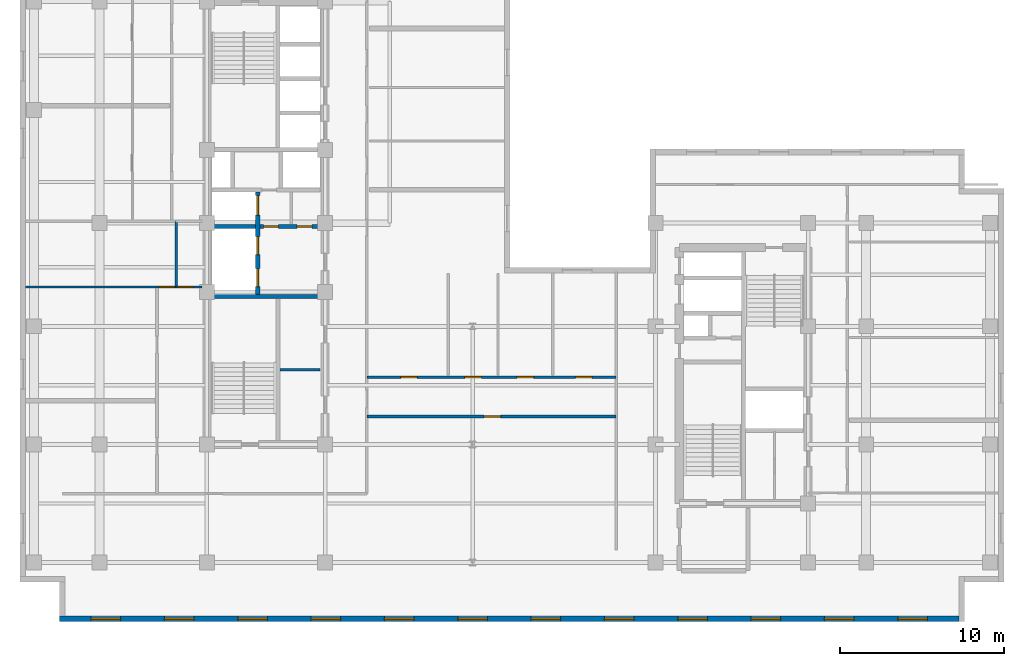
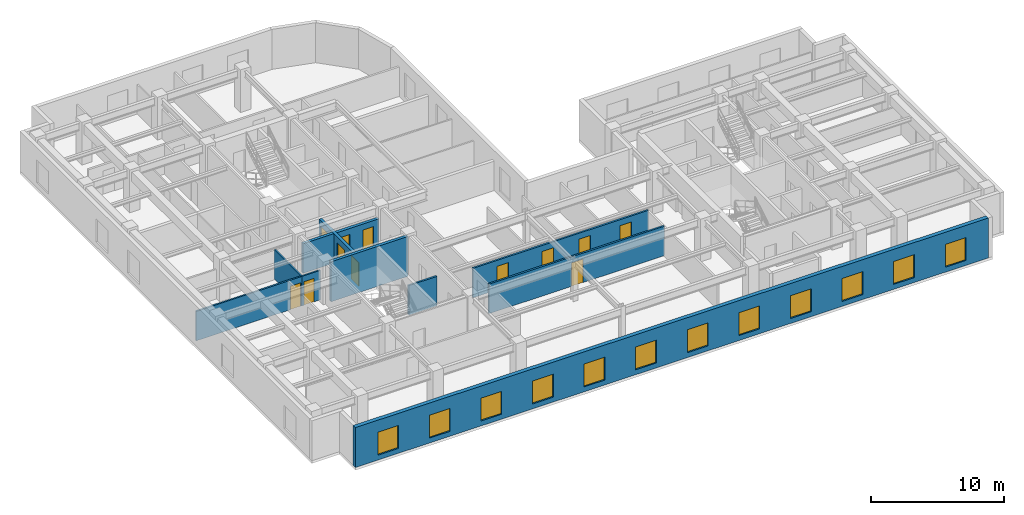
# One storey, part 4 of 11: 12 doors, 12 windows, 10 walls, 24 openings.
"""IFC4 building model written with IfcOpenShell, lengths in metres."""

from ifc_helpers import new_model, entity, si_unit, converted_unit, direction, frame, origin_with_axes, origin_2d_with_axis, place, context, subcontext, project, spatial, polyline, rectangle, outline, extrude, material, layer, layer_set, type_object, element, fill, save


model = new_model("IFC4")

# Units and contexts
model_context = context("Model", 3, precision=1e-05, world=origin_with_axes(), true_north=direction((0.0, 1.0)))
body_context = subcontext(model_context, "Body", "Model", "MODEL_VIEW")
ifc_project = project(units=[si_unit("LENGTHUNIT", "METRE"), si_unit("AREAUNIT", "SQUARE_METRE"), si_unit("VOLUMEUNIT", "CUBIC_METRE"), converted_unit("PLANEANGLEUNIT", "DEGREE", entity("IfcPlaneAngleMeasure", 0.017453292519943295), si_unit("PLANEANGLEUNIT", "RADIAN"), dimensions=[0, 0, 0, 0, 0, 0, 0]), si_unit("MASSUNIT", "GRAM", prefix="KILO"), si_unit("THERMODYNAMICTEMPERATUREUNIT", "KELVIN")], contexts=[model_context])

# Site, building, storey
site_placement = place(None, origin_with_axes())
site = spatial("IfcSite", under=ifc_project, at=site_placement, CompositionType="ELEMENT")
building_placement = place(site_placement, origin_with_axes())
building = spatial("IfcBuilding", under=site, at=building_placement, Name="Varnlund Millrace Tower", CompositionType="ELEMENT")
storey_placement = place(building_placement, frame((0.0, 0.0, 204.3), z_axis=(0.0, 0.0, 1.0), x_axis=(1.0, 0.0, 0.0)))
storey = spatial("IfcBuildingStorey", under=building, at=storey_placement, Name="L50", CompositionType="ELEMENT", Elevation=204.3)

# Wall, openings, windows
ifc_material_1 = material(Name="Precast concrete C50/60", Category="concrete")
ifc_layer_1 = layer(ifc_material_1, 0.34, Name="Precast concrete C50/60")
ifc_layer_set_1 = layer_set([ifc_layer_1], Name="Precast concrete C50/60")
wall_type_1 = type_object("IfcWallType", Name="Type-ExtWall-Precast-Upper-340", PredefinedType="SOLIDWALL", material=ifc_layer_set_1)
wall_1_placement = place(storey_placement, frame((57.26, 0.17, 0.0), z_axis=(0.0, 0.0, 1.0), x_axis=(-1.0, 0.0, 0.0)))
wall_1 = element("IfcWall", 1, at=wall_1_placement, inside=storey, type_object=wall_type_1, Name="Type-ExtWall-Precast-Upper-340", PredefinedType="SOLIDWALL", context=body_context, shape_type="SweptSolid", body=[
    extrude(outline(polyline([(0.0, -0.17), (54.86, -0.17), (54.86, 0.17), (0.0, 0.17), (0.0, -0.17)])), origin_with_axes(), (0.0, 0.0, 1.0), 3.66),
])
opening_1_placement = place(wall_1_placement, frame((2.836, 0.0, 0.45), z_axis=(0.0, 0.0, 1.0), x_axis=(1.0, 0.0, 0.0)))
opening_1 = element("IfcOpeningElement", 2, at=opening_1_placement, cuts=wall_1, Name="Opening L50:WN-07", PredefinedType="OPENING", context=body_context, shape_type="SweptSolid", body=[
    extrude(rectangle(XDim=1.8, YDim=0.36, at=origin_2d_with_axis()), origin_with_axes(), (0.0, 0.0, 1.0), 2.1),
])
opening_2_placement = place(wall_1_placement, frame((7.307, 0.0, 0.45), z_axis=(0.0, 0.0, 1.0), x_axis=(1.0, 0.0, 0.0)))
opening_2 = element("IfcOpeningElement", 3, at=opening_2_placement, cuts=wall_1, Name="Opening L50:WN-08", PredefinedType="OPENING", context=body_context, shape_type="SweptSolid", body=[
    extrude(rectangle(XDim=1.8, YDim=0.36, at=origin_2d_with_axis()), origin_with_axes(), (0.0, 0.0, 1.0), 2.1),
])
opening_3_placement = place(wall_1_placement, frame((11.779, 0.0, 0.45), z_axis=(0.0, 0.0, 1.0), x_axis=(1.0, 0.0, 0.0)))
opening_3 = element("IfcOpeningElement", 4, at=opening_3_placement, cuts=wall_1, Name="Opening L50:WN-09", PredefinedType="OPENING", context=body_context, shape_type="SweptSolid", body=[
    extrude(rectangle(XDim=1.8, YDim=0.36, at=origin_2d_with_axis()), origin_with_axes(), (0.0, 0.0, 1.0), 2.1),
])
opening_4_placement = place(wall_1_placement, frame((16.251, 0.0, 0.45), z_axis=(0.0, 0.0, 1.0), x_axis=(1.0, 0.0, 0.0)))
opening_4 = element("IfcOpeningElement", 5, at=opening_4_placement, cuts=wall_1, Name="Opening L50:WN-10", PredefinedType="OPENING", context=body_context, shape_type="SweptSolid", body=[
    extrude(rectangle(XDim=1.8, YDim=0.36, at=origin_2d_with_axis()), origin_with_axes(), (0.0, 0.0, 1.0), 2.1),
])
opening_5_placement = place(wall_1_placement, frame((20.723, 0.0, 0.45), z_axis=(0.0, 0.0, 1.0), x_axis=(1.0, 0.0, 0.0)))
opening_5 = element("IfcOpeningElement", 6, at=opening_5_placement, cuts=wall_1, Name="Opening L50:WN-11", PredefinedType="OPENING", context=body_context, shape_type="SweptSolid", body=[
    extrude(rectangle(XDim=1.8, YDim=0.36, at=origin_2d_with_axis()), origin_with_axes(), (0.0, 0.0, 1.0), 2.1),
])
opening_6_placement = place(wall_1_placement, frame((25.194, 0.0, 0.45), z_axis=(0.0, 0.0, 1.0), x_axis=(1.0, 0.0, 0.0)))
opening_6 = element("IfcOpeningElement", 7, at=opening_6_placement, cuts=wall_1, Name="Opening L50:WN-12", PredefinedType="OPENING", context=body_context, shape_type="SweptSolid", body=[
    extrude(rectangle(XDim=1.8, YDim=0.36, at=origin_2d_with_axis()), origin_with_axes(), (0.0, 0.0, 1.0), 2.1),
])
opening_7_placement = place(wall_1_placement, frame((29.666, 0.0, 0.45), z_axis=(0.0, 0.0, 1.0), x_axis=(1.0, 0.0, 0.0)))
opening_7 = element("IfcOpeningElement", 8, at=opening_7_placement, cuts=wall_1, Name="Opening L50:WN-13", PredefinedType="OPENING", context=body_context, shape_type="SweptSolid", body=[
    extrude(rectangle(XDim=1.8, YDim=0.36, at=origin_2d_with_axis()), origin_with_axes(), (0.0, 0.0, 1.0), 2.1),
])
opening_8_placement = place(wall_1_placement, frame((34.138, 0.0, 0.45), z_axis=(0.0, 0.0, 1.0), x_axis=(1.0, 0.0, 0.0)))
opening_8 = element("IfcOpeningElement", 9, at=opening_8_placement, cuts=wall_1, Name="Opening L50:WN-14", PredefinedType="OPENING", context=body_context, shape_type="SweptSolid", body=[
    extrude(rectangle(XDim=1.8, YDim=0.36, at=origin_2d_with_axis()), origin_with_axes(), (0.0, 0.0, 1.0), 2.1),
])
opening_9_placement = place(wall_1_placement, frame((38.609, 0.0, 0.45), z_axis=(0.0, 0.0, 1.0), x_axis=(1.0, 0.0, 0.0)))
opening_9 = element("IfcOpeningElement", 10, at=opening_9_placement, cuts=wall_1, Name="Opening L50:WN-15", PredefinedType="OPENING", context=body_context, shape_type="SweptSolid", body=[
    extrude(rectangle(XDim=1.8, YDim=0.36, at=origin_2d_with_axis()), origin_with_axes(), (0.0, 0.0, 1.0), 2.1),
])
opening_10_placement = place(wall_1_placement, frame((43.081, 0.0, 0.45), z_axis=(0.0, 0.0, 1.0), x_axis=(1.0, 0.0, 0.0)))
opening_10 = element("IfcOpeningElement", 11, at=opening_10_placement, cuts=wall_1, Name="Opening L50:WN-16", PredefinedType="OPENING", context=body_context, shape_type="SweptSolid", body=[
    extrude(rectangle(XDim=1.8, YDim=0.36, at=origin_2d_with_axis()), origin_with_axes(), (0.0, 0.0, 1.0), 2.1),
])
opening_11_placement = place(wall_1_placement, frame((47.553, 0.0, 0.45), z_axis=(0.0, 0.0, 1.0), x_axis=(1.0, 0.0, 0.0)))
opening_11 = element("IfcOpeningElement", 12, at=opening_11_placement, cuts=wall_1, Name="Opening L50:WN-17", PredefinedType="OPENING", context=body_context, shape_type="SweptSolid", body=[
    extrude(rectangle(XDim=1.8, YDim=0.36, at=origin_2d_with_axis()), origin_with_axes(), (0.0, 0.0, 1.0), 2.1),
])
opening_12_placement = place(wall_1_placement, frame((52.024, 0.0, 0.45), z_axis=(0.0, 0.0, 1.0), x_axis=(1.0, 0.0, 0.0)))
opening_12 = element("IfcOpeningElement", 13, at=opening_12_placement, cuts=wall_1, Name="Opening L50:WN-18", PredefinedType="OPENING", context=body_context, shape_type="SweptSolid", body=[
    extrude(rectangle(XDim=1.8, YDim=0.36, at=origin_2d_with_axis()), origin_with_axes(), (0.0, 0.0, 1.0), 2.1),
])
ifc_material_2 = material(Name="Argon low-e triple glazing in thermally broken bronze frame", Category="glass")
window_type = type_object("IfcWindowType", Name="Type-Window-Punched-1800X2100", PartitioningType="SINGLE_PANEL", PredefinedType="WINDOW", material=ifc_material_2)
window_1_placement = place(wall_1_placement, frame((2.836, 0.0, 0.45), z_axis=(0.0, 0.0, 1.0), x_axis=(1.0, 0.0, 0.0)))
window_1 = element("IfcWindow", 14, at=window_1_placement, inside=storey, type_object=window_type, Name="Type-Window-Punched-1800X2100", OverallHeight=2.1, OverallWidth=1.8, PredefinedType="WINDOW", context=body_context, shape_type="SweptSolid", body=[
    extrude(rectangle(XDim=1.8, YDim=0.09, at=origin_2d_with_axis()), origin_with_axes(), (0.0, 0.0, 1.0), 2.1),
])
fill(opening_1, window_1)
window_2_placement = place(wall_1_placement, frame((7.307, 0.0, 0.45), z_axis=(0.0, 0.0, 1.0), x_axis=(1.0, 0.0, 0.0)))
window_2 = element("IfcWindow", 15, at=window_2_placement, inside=storey, type_object=window_type, Name="Type-Window-Punched-1800X2100", OverallHeight=2.1, OverallWidth=1.8, PredefinedType="WINDOW", context=body_context, shape_type="SweptSolid", body=[
    extrude(rectangle(XDim=1.8, YDim=0.09, at=origin_2d_with_axis()), origin_with_axes(), (0.0, 0.0, 1.0), 2.1),
])
fill(opening_2, window_2)
window_3_placement = place(wall_1_placement, frame((11.779, 0.0, 0.45), z_axis=(0.0, 0.0, 1.0), x_axis=(1.0, 0.0, 0.0)))
window_3 = element("IfcWindow", 16, at=window_3_placement, inside=storey, type_object=window_type, Name="Type-Window-Punched-1800X2100", OverallHeight=2.1, OverallWidth=1.8, PredefinedType="WINDOW", context=body_context, shape_type="SweptSolid", body=[
    extrude(rectangle(XDim=1.8, YDim=0.09, at=origin_2d_with_axis()), origin_with_axes(), (0.0, 0.0, 1.0), 2.1),
])
fill(opening_3, window_3)
window_4_placement = place(wall_1_placement, frame((16.251, 0.0, 0.45), z_axis=(0.0, 0.0, 1.0), x_axis=(1.0, 0.0, 0.0)))
window_4 = element("IfcWindow", 17, at=window_4_placement, inside=storey, type_object=window_type, Name="Type-Window-Punched-1800X2100", OverallHeight=2.1, OverallWidth=1.8, PredefinedType="WINDOW", context=body_context, shape_type="SweptSolid", body=[
    extrude(rectangle(XDim=1.8, YDim=0.09, at=origin_2d_with_axis()), origin_with_axes(), (0.0, 0.0, 1.0), 2.1),
])
fill(opening_4, window_4)
window_5_placement = place(wall_1_placement, frame((20.723, 0.0, 0.45), z_axis=(0.0, 0.0, 1.0), x_axis=(1.0, 0.0, 0.0)))
window_5 = element("IfcWindow", 18, at=window_5_placement, inside=storey, type_object=window_type, Name="Type-Window-Punched-1800X2100", OverallHeight=2.1, OverallWidth=1.8, PredefinedType="WINDOW", context=body_context, shape_type="SweptSolid", body=[
    extrude(rectangle(XDim=1.8, YDim=0.09, at=origin_2d_with_axis()), origin_with_axes(), (0.0, 0.0, 1.0), 2.1),
])
fill(opening_5, window_5)
window_6_placement = place(wall_1_placement, frame((25.194, 0.0, 0.45), z_axis=(0.0, 0.0, 1.0), x_axis=(1.0, 0.0, 0.0)))
window_6 = element("IfcWindow", 19, at=window_6_placement, inside=storey, type_object=window_type, Name="Type-Window-Punched-1800X2100", OverallHeight=2.1, OverallWidth=1.8, PredefinedType="WINDOW", context=body_context, shape_type="SweptSolid", body=[
    extrude(rectangle(XDim=1.8, YDim=0.09, at=origin_2d_with_axis()), origin_with_axes(), (0.0, 0.0, 1.0), 2.1),
])
fill(opening_6, window_6)
window_7_placement = place(wall_1_placement, frame((29.666, 0.0, 0.45), z_axis=(0.0, 0.0, 1.0), x_axis=(1.0, 0.0, 0.0)))
window_7 = element("IfcWindow", 20, at=window_7_placement, inside=storey, type_object=window_type, Name="Type-Window-Punched-1800X2100", OverallHeight=2.1, OverallWidth=1.8, PredefinedType="WINDOW", context=body_context, shape_type="SweptSolid", body=[
    extrude(rectangle(XDim=1.8, YDim=0.09, at=origin_2d_with_axis()), origin_with_axes(), (0.0, 0.0, 1.0), 2.1),
])
fill(opening_7, window_7)
window_8_placement = place(wall_1_placement, frame((34.138, 0.0, 0.45), z_axis=(0.0, 0.0, 1.0), x_axis=(1.0, 0.0, 0.0)))
window_8 = element("IfcWindow", 21, at=window_8_placement, inside=storey, type_object=window_type, Name="Type-Window-Punched-1800X2100", OverallHeight=2.1, OverallWidth=1.8, PredefinedType="WINDOW", context=body_context, shape_type="SweptSolid", body=[
    extrude(rectangle(XDim=1.8, YDim=0.09, at=origin_2d_with_axis()), origin_with_axes(), (0.0, 0.0, 1.0), 2.1),
])
fill(opening_8, window_8)
window_9_placement = place(wall_1_placement, frame((38.609, 0.0, 0.45), z_axis=(0.0, 0.0, 1.0), x_axis=(1.0, 0.0, 0.0)))
window_9 = element("IfcWindow", 22, at=window_9_placement, inside=storey, type_object=window_type, Name="Type-Window-Punched-1800X2100", OverallHeight=2.1, OverallWidth=1.8, PredefinedType="WINDOW", context=body_context, shape_type="SweptSolid", body=[
    extrude(rectangle(XDim=1.8, YDim=0.09, at=origin_2d_with_axis()), origin_with_axes(), (0.0, 0.0, 1.0), 2.1),
])
fill(opening_9, window_9)
window_10_placement = place(wall_1_placement, frame((43.081, 0.0, 0.45), z_axis=(0.0, 0.0, 1.0), x_axis=(1.0, 0.0, 0.0)))
window_10 = element("IfcWindow", 23, at=window_10_placement, inside=storey, type_object=window_type, Name="Type-Window-Punched-1800X2100", OverallHeight=2.1, OverallWidth=1.8, PredefinedType="WINDOW", context=body_context, shape_type="SweptSolid", body=[
    extrude(rectangle(XDim=1.8, YDim=0.09, at=origin_2d_with_axis()), origin_with_axes(), (0.0, 0.0, 1.0), 2.1),
])
fill(opening_10, window_10)
window_11_placement = place(wall_1_placement, frame((47.553, 0.0, 0.45), z_axis=(0.0, 0.0, 1.0), x_axis=(1.0, 0.0, 0.0)))
window_11 = element("IfcWindow", 24, at=window_11_placement, inside=storey, type_object=window_type, Name="Type-Window-Punched-1800X2100", OverallHeight=2.1, OverallWidth=1.8, PredefinedType="WINDOW", context=body_context, shape_type="SweptSolid", body=[
    extrude(rectangle(XDim=1.8, YDim=0.09, at=origin_2d_with_axis()), origin_with_axes(), (0.0, 0.0, 1.0), 2.1),
])
fill(opening_11, window_11)
window_12_placement = place(wall_1_placement, frame((52.024, 0.0, 0.45), z_axis=(0.0, 0.0, 1.0), x_axis=(1.0, 0.0, 0.0)))
window_12 = element("IfcWindow", 25, at=window_12_placement, inside=storey, type_object=window_type, Name="Type-Window-Punched-1800X2100", OverallHeight=2.1, OverallWidth=1.8, PredefinedType="WINDOW", context=body_context, shape_type="SweptSolid", body=[
    extrude(rectangle(XDim=1.8, YDim=0.09, at=origin_2d_with_axis()), origin_with_axes(), (0.0, 0.0, 1.0), 2.1),
])
fill(opening_12, window_12)

# Wall
ifc_material_3 = material(Name="Fire-rated gypsum board on cold-formed steel framing", Category="steel")
ifc_layer_2 = layer(ifc_material_3, 0.16, Name="Fire-rated gypsum board on cold-formed steel framing")
ifc_layer_set_2 = layer_set([ifc_layer_2], Name="Fire-rated gypsum board on cold-formed steel framing")
wall_type_2 = type_object("IfcWallType", Name="Type-Partition-Corridor-160", PredefinedType="PARTITIONING", material=ifc_layer_set_2)
wall_2_placement = place(storey_placement, frame((15.84, 15.35, 0.0), z_axis=(0.0, 0.0, 1.0), x_axis=(1.0, 0.0, 0.0)))
element("IfcWall", 26, at=wall_2_placement, inside=storey, type_object=wall_type_2, Name="Type-Partition-Corridor-160", PredefinedType="PARTITIONING", context=body_context, shape_type="SweptSolid", body=[
    extrude(outline(polyline([(0.0, -0.08), (2.46, -0.08), (2.46, 0.08), (0.0, 0.08), (0.0, -0.08)])), origin_with_axes(), (0.0, 0.0, 1.0), 2.7),
])

# Wall, opening, door
wall_3_placement = place(storey_placement, frame((21.15, 12.5, 0.0), z_axis=(0.0, 0.0, 1.0), x_axis=(1.0, 0.0, 0.0)))
wall_3 = element("IfcWall", 27, at=wall_3_placement, inside=storey, type_object=wall_type_2, Name="Type-Partition-Corridor-160", PredefinedType="PARTITIONING", context=body_context, shape_type="SweptSolid", body=[
    extrude(outline(polyline([(0.0, -0.08), (15.2, -0.08), (15.2, 0.08), (0.0, 0.08), (0.0, -0.08)])), origin_with_axes(), (0.0, 0.0, 1.0), 2.7),
])
opening_13_placement = place(wall_3_placement, frame((7.65, 0.0, 0.0), z_axis=(0.0, 0.0, 1.0), x_axis=(1.0, 0.0, 0.0)))
opening_13 = element("IfcOpeningElement", 28, at=opening_13_placement, cuts=wall_3, Name="Opening L50:DR-KNS-01", PredefinedType="OPENING", context=body_context, shape_type="SweptSolid", body=[
    extrude(rectangle(XDim=1.0, YDim=0.18, at=origin_2d_with_axis()), origin_with_axes(), (0.0, 0.0, 1.0), 2.15),
])
ifc_material_4 = material(Name="Solid-core white oak and bronze frame door")
door_type_1 = type_object("IfcDoorType", Name="Type-IntDoor-Office-1000X2150", OperationType="NOTDEFINED", PredefinedType="DOOR", material=ifc_material_4)
door_1_placement = place(wall_3_placement, frame((7.65, 0.0, 0.0), z_axis=(0.0, 0.0, 1.0), x_axis=(1.0, 0.0, 0.0)))
door_1 = element("IfcDoor", 29, at=door_1_placement, inside=storey, type_object=door_type_1, Name="Type-IntDoor-Office-1000X2150", OperationType="SINGLE_SWING_LEFT", OverallHeight=2.15, OverallWidth=1.0, PredefinedType="DOOR", context=body_context, shape_type="SweptSolid", body=[
    extrude(rectangle(XDim=1.0, YDim=0.09, at=origin_2d_with_axis()), origin_with_axes(), (0.0, 0.0, 1.0), 2.15),
])
fill(opening_13, door_1)

# Wall, openings, doors
wall_4_placement = place(storey_placement, frame((21.15, 14.9, 0.0), z_axis=(0.0, 0.0, 1.0), x_axis=(1.0, 0.0, 0.0)))
wall_4 = element("IfcWall", 30, at=wall_4_placement, inside=storey, type_object=wall_type_2, Name="Type-Partition-Corridor-160", PredefinedType="PARTITIONING", context=body_context, shape_type="SweptSolid", body=[
    extrude(outline(polyline([(0.0, -0.08), (15.2, -0.08), (15.2, 0.08), (0.0, 0.08), (0.0, -0.08)])), origin_with_axes(), (0.0, 0.0, 1.0), 2.7),
])
opening_14_placement = place(wall_4_placement, frame((2.57, 0.0, 0.0), z_axis=(0.0, 0.0, 1.0), x_axis=(1.0, 0.0, 0.0)))
opening_14 = element("IfcOpeningElement", 31, at=opening_14_placement, cuts=wall_4, Name="Opening L50:DR-KN-01", PredefinedType="OPENING", context=body_context, shape_type="SweptSolid", body=[
    extrude(rectangle(XDim=1.0, YDim=0.18, at=origin_2d_with_axis()), origin_with_axes(), (0.0, 0.0, 1.0), 2.15),
])
opening_15_placement = place(wall_4_placement, frame((6.4755, 0.0, 0.0), z_axis=(0.0, 0.0, 1.0), x_axis=(1.0, 0.0, 0.0)))
opening_15 = element("IfcOpeningElement", 32, at=opening_15_placement, cuts=wall_4, Name="Opening L50:DR-KN-02", PredefinedType="OPENING", context=body_context, shape_type="SweptSolid", body=[
    extrude(rectangle(XDim=1.0, YDim=0.18, at=origin_2d_with_axis()), origin_with_axes(), (0.0, 0.0, 1.0), 2.15),
])
opening_16_placement = place(wall_4_placement, frame((9.667, 0.0, 0.0), z_axis=(0.0, 0.0, 1.0), x_axis=(1.0, 0.0, 0.0)))
opening_16 = element("IfcOpeningElement", 33, at=opening_16_placement, cuts=wall_4, Name="Opening L50:DR-KN-03", PredefinedType="OPENING", context=body_context, shape_type="SweptSolid", body=[
    extrude(rectangle(XDim=1.0, YDim=0.18, at=origin_2d_with_axis()), origin_with_axes(), (0.0, 0.0, 1.0), 2.15),
])
opening_17_placement = place(wall_4_placement, frame((13.2315, 0.0, 0.0), z_axis=(0.0, 0.0, 1.0), x_axis=(1.0, 0.0, 0.0)))
opening_17 = element("IfcOpeningElement", 34, at=opening_17_placement, cuts=wall_4, Name="Opening L50:DR-KN-04", PredefinedType="OPENING", context=body_context, shape_type="SweptSolid", body=[
    extrude(rectangle(XDim=1.0, YDim=0.18, at=origin_2d_with_axis()), origin_with_axes(), (0.0, 0.0, 1.0), 2.15),
])
door_2_placement = place(wall_4_placement, frame((2.57, 0.0, 0.0), z_axis=(0.0, 0.0, 1.0), x_axis=(1.0, 0.0, 0.0)))
door_2 = element("IfcDoor", 35, at=door_2_placement, inside=storey, type_object=door_type_1, Name="Type-IntDoor-Office-1000X2150", OperationType="SINGLE_SWING_LEFT", OverallHeight=2.15, OverallWidth=1.0, PredefinedType="DOOR", context=body_context, shape_type="SweptSolid", body=[
    extrude(rectangle(XDim=1.0, YDim=0.09, at=origin_2d_with_axis()), origin_with_axes(), (0.0, 0.0, 1.0), 2.15),
])
fill(opening_14, door_2)
door_3_placement = place(wall_4_placement, frame((6.4755, 0.0, 0.0), z_axis=(0.0, 0.0, 1.0), x_axis=(1.0, 0.0, 0.0)))
door_3 = element("IfcDoor", 36, at=door_3_placement, inside=storey, type_object=door_type_1, Name="Type-IntDoor-Office-1000X2150", OperationType="SINGLE_SWING_RIGHT", OverallHeight=2.15, OverallWidth=1.0, PredefinedType="DOOR", context=body_context, shape_type="SweptSolid", body=[
    extrude(rectangle(XDim=1.0, YDim=0.09, at=origin_2d_with_axis()), origin_with_axes(), (0.0, 0.0, 1.0), 2.15),
])
fill(opening_15, door_3)
door_4_placement = place(wall_4_placement, frame((9.667, 0.0, 0.0), z_axis=(0.0, 0.0, 1.0), x_axis=(1.0, 0.0, 0.0)))
door_4 = element("IfcDoor", 37, at=door_4_placement, inside=storey, type_object=door_type_1, Name="Type-IntDoor-Office-1000X2150", OperationType="SINGLE_SWING_LEFT", OverallHeight=2.15, OverallWidth=1.0, PredefinedType="DOOR", context=body_context, shape_type="SweptSolid", body=[
    extrude(rectangle(XDim=1.0, YDim=0.09, at=origin_2d_with_axis()), origin_with_axes(), (0.0, 0.0, 1.0), 2.15),
])
fill(opening_16, door_4)
door_5_placement = place(wall_4_placement, frame((13.2315, 0.0, 0.0), z_axis=(0.0, 0.0, 1.0), x_axis=(1.0, 0.0, 0.0)))
door_5 = element("IfcDoor", 38, at=door_5_placement, inside=storey, type_object=door_type_1, Name="Type-IntDoor-Office-1000X2150", OperationType="SINGLE_SWING_RIGHT", OverallHeight=2.15, OverallWidth=1.0, PredefinedType="DOOR", context=body_context, shape_type="SweptSolid", body=[
    extrude(rectangle(XDim=1.0, YDim=0.09, at=origin_2d_with_axis()), origin_with_axes(), (0.0, 0.0, 1.0), 2.15),
])
fill(opening_17, door_5)

# Wall
ifc_material_5 = material(Name="Moisture-resistant gypsum restroom partition", Category="gypsum")
ifc_layer_3 = layer(ifc_material_5, 0.14, Name="Moisture-resistant gypsum restroom partition")
ifc_layer_set_3 = layer_set([ifc_layer_3], Name="Moisture-resistant gypsum restroom partition")
wall_type_3 = type_object("IfcWallType", Name="Type-Partition-Wet-140", PredefinedType="PARTITIONING", material=ifc_layer_set_3)
wall_5_placement = place(storey_placement, frame((9.52, 20.4, 0.0), z_axis=(0.0, 0.0, 1.0), x_axis=(0.0, 1.0, 0.0)))
element("IfcWall", 39, at=wall_5_placement, inside=storey, type_object=wall_type_3, Name="Type-Partition-Wet-140", PredefinedType="PARTITIONING", context=body_context, shape_type="SweptSolid", body=[
    extrude(outline(polyline([(0.0, -0.07), (4.0, -0.07), (4.0, 0.07), (0.0, 0.07), (0.0, -0.07)])), origin_with_axes(), (0.0, 0.0, 1.0), 2.7),
])

# Wall, opening, door
wall_6_placement = place(storey_placement, frame((9.52, 20.4, 0.0), z_axis=(0.0, 0.0, 1.0), x_axis=(1.0, 0.0, 0.0)))
wall_6 = element("IfcWall", 40, at=wall_6_placement, inside=storey, type_object=wall_type_3, Name="Type-Partition-Wet-140", PredefinedType="PARTITIONING", context=body_context, shape_type="SweptSolid", body=[
    extrude(outline(polyline([(0.0, -0.07), (1.58, -0.07), (1.58, 0.07), (0.0, 0.07), (0.0, -0.07)])), origin_with_axes(), (0.0, 0.0, 1.0), 2.7),
])
opening_18_placement = place(wall_6_placement, frame((0.59, 0.0, 0.0), z_axis=(0.0, 0.0, 1.0), x_axis=(1.0, 0.0, 0.0)))
opening_18 = element("IfcOpeningElement", 41, at=opening_18_placement, cuts=wall_6, Name="Opening L50:DR-CA-WCW", PredefinedType="OPENING", context=body_context, shape_type="SweptSolid", body=[
    extrude(rectangle(XDim=0.9, YDim=0.16, at=origin_2d_with_axis()), origin_with_axes(), (0.0, 0.0, 1.0), 2.15),
])
ifc_material_6 = material(Name="Painted steel riser and closet door", Category="steel")
door_type_2 = type_object("IfcDoorType", Name="Type-IntDoor-Closet-900X2150", OperationType="NOTDEFINED", PredefinedType="DOOR", material=ifc_material_6)
door_6_placement = place(wall_6_placement, frame((0.59, 0.0, 0.0), z_axis=(0.0, 0.0, 1.0), x_axis=(1.0, 0.0, 0.0)))
door_6 = element("IfcDoor", 42, at=door_6_placement, inside=storey, type_object=door_type_2, Name="Type-IntDoor-Closet-900X2150", OperationType="SINGLE_SWING_LEFT", OverallHeight=2.15, OverallWidth=0.9, PredefinedType="DOOR", context=body_context, shape_type="SweptSolid", body=[
    extrude(rectangle(XDim=0.9, YDim=0.084, at=origin_2d_with_axis()), origin_with_axes(), (0.0, 0.0, 1.0), 2.15),
])
fill(opening_18, door_6)

wall_7_placement = place(storey_placement, frame((0.335, 20.4, 0.0), z_axis=(0.0, 0.0, 1.0), x_axis=(1.0, 0.0, 0.0)))
wall_7 = element("IfcWall", 43, at=wall_7_placement, inside=storey, type_object=wall_type_3, Name="Type-Partition-Wet-140", PredefinedType="PARTITIONING", context=body_context, shape_type="SweptSolid", body=[
    extrude(outline(polyline([(0.0, -0.07), (9.185, -0.07), (9.185, 0.07), (0.0, 0.07), (0.0, -0.07)])), origin_with_axes(), (0.0, 0.0, 1.0), 2.7),
])
opening_19_placement = place(wall_7_placement, frame((8.615, 0.0, 0.0), z_axis=(0.0, 0.0, 1.0), x_axis=(1.0, 0.0, 0.0)))
opening_19 = element("IfcOpeningElement", 44, at=opening_19_placement, cuts=wall_7, Name="Opening L50:DR-W-MIDR", PredefinedType="OPENING", context=body_context, shape_type="SweptSolid", body=[
    extrude(rectangle(XDim=0.9, YDim=0.16, at=origin_2d_with_axis()), origin_with_axes(), (0.0, 0.0, 1.0), 2.15),
])
door_7_placement = place(wall_7_placement, frame((8.615, 0.0, 0.0), z_axis=(0.0, 0.0, 1.0), x_axis=(1.0, 0.0, 0.0)))
door_7 = element("IfcDoor", 45, at=door_7_placement, inside=storey, type_object=door_type_2, Name="Type-IntDoor-Closet-900X2150", OperationType="SINGLE_SWING_LEFT", OverallHeight=2.15, OverallWidth=0.9, PredefinedType="DOOR", context=body_context, shape_type="SweptSolid", body=[
    extrude(rectangle(XDim=0.9, YDim=0.084, at=origin_2d_with_axis()), origin_with_axes(), (0.0, 0.0, 1.0), 2.15),
])
fill(opening_19, door_7)

# Wall, openings, doors
ifc_material_7 = material(Name="Concrete C60/75", Category="concrete")
ifc_layer_4 = layer(ifc_material_7, 0.25, Name="Concrete C60/75")
ifc_layer_set_4 = layer_set([ifc_layer_4], Name="Concrete C60/75")
wall_type_4 = type_object("IfcWallType", Name="Type-ShaftWall-Fire-250", PredefinedType="SOLIDWALL", material=ifc_layer_set_4)
wall_8_placement = place(storey_placement, frame((14.5, 19.95, 0.0), z_axis=(0.0, 0.0, 1.0), x_axis=(0.0, 1.0, 0.0)))
wall_8 = element("IfcWall", 46, at=wall_8_placement, inside=storey, type_object=wall_type_4, Name="Type-ShaftWall-Fire-250", PredefinedType="SOLIDWALL", context=body_context, shape_type="SweptSolid", body=[
    extrude(outline(polyline([(0.0, -0.125), (6.25, -0.125), (6.25, 0.125), (0.0, 0.125), (0.0, -0.125)])), origin_with_axes(), (0.0, 0.0, 1.0), 2.7),
])
opening_20_placement = place(wall_8_placement, frame((1.025, 0.0, 0.0), z_axis=(0.0, 0.0, 1.0), x_axis=(1.0, 0.0, 0.0)))
opening_20 = element("IfcOpeningElement", 47, at=opening_20_placement, cuts=wall_8, Name="Opening L50:LD-FSAE1", PredefinedType="OPENING", context=body_context, shape_type="SweptSolid", body=[
    extrude(rectangle(XDim=1.1, YDim=0.27, at=origin_2d_with_axis()), origin_with_axes(), (0.0, 0.0, 1.0), 2.15),
])
opening_21_placement = place(wall_8_placement, frame((2.975, 0.0, 0.0), z_axis=(0.0, 0.0, 1.0), x_axis=(1.0, 0.0, 0.0)))
opening_21 = element("IfcOpeningElement", 48, at=opening_21_placement, cuts=wall_8, Name="Opening L50:LD-FSAE2", PredefinedType="OPENING", context=body_context, shape_type="SweptSolid", body=[
    extrude(rectangle(XDim=1.1, YDim=0.27, at=origin_2d_with_axis()), origin_with_axes(), (0.0, 0.0, 1.0), 2.15),
])
opening_22_placement = place(wall_8_placement, frame((5.425, 0.0, 0.0), z_axis=(0.0, 0.0, 1.0), x_axis=(1.0, 0.0, 0.0)))
opening_22 = element("IfcOpeningElement", 49, at=opening_22_placement, cuts=wall_8, Name="Opening L50:LD-SRV1", PredefinedType="OPENING", context=body_context, shape_type="SweptSolid", body=[
    extrude(rectangle(XDim=1.2, YDim=0.27, at=origin_2d_with_axis()), origin_with_axes(), (0.0, 0.0, 1.0), 2.15),
])
ifc_material_8 = material(Name="Stainless and architectural bronze sliding landing door")
door_type_3 = type_object("IfcDoorType", Name="Type-LiftLandingDoor-1100X2150", OperationType="NOTDEFINED", PredefinedType="DOOR", material=ifc_material_8)
door_8_placement = place(wall_8_placement, frame((1.025, 0.0, 0.0), z_axis=(0.0, 0.0, 1.0), x_axis=(1.0, 0.0, 0.0)))
door_8 = element("IfcDoor", 50, at=door_8_placement, inside=storey, type_object=door_type_3, Name="Type-LiftLandingDoor-1100X2150", OperationType="SLIDING_TO_LEFT", OverallHeight=2.15, OverallWidth=1.1, PredefinedType="DOOR", context=body_context, shape_type="SweptSolid", body=[
    extrude(rectangle(XDim=1.1, YDim=0.09, at=origin_2d_with_axis()), origin_with_axes(), (0.0, 0.0, 1.0), 2.15),
])
fill(opening_20, door_8)
door_9_placement = place(wall_8_placement, frame((2.975, 0.0, 0.0), z_axis=(0.0, 0.0, 1.0), x_axis=(1.0, 0.0, 0.0)))
door_9 = element("IfcDoor", 51, at=door_9_placement, inside=storey, type_object=door_type_3, Name="Type-LiftLandingDoor-1100X2150", OperationType="SLIDING_TO_RIGHT", OverallHeight=2.15, OverallWidth=1.1, PredefinedType="DOOR", context=body_context, shape_type="SweptSolid", body=[
    extrude(rectangle(XDim=1.1, YDim=0.09, at=origin_2d_with_axis()), origin_with_axes(), (0.0, 0.0, 1.0), 2.15),
])
fill(opening_21, door_9)
ifc_material_9 = material(Name="Heavy-duty freight sliding landing door")
door_type_4 = type_object("IfcDoorType", Name="Type-LiftLandingDoor-Service-1200X2150", OperationType="NOTDEFINED", PredefinedType="DOOR", material=ifc_material_9)
door_10_placement = place(wall_8_placement, frame((5.425, 0.0, 0.0), z_axis=(0.0, 0.0, 1.0), x_axis=(1.0, 0.0, 0.0)))
door_10 = element("IfcDoor", 52, at=door_10_placement, inside=storey, type_object=door_type_4, Name="Type-LiftLandingDoor-Service-1200X2150", OperationType="DOUBLE_DOOR_SLIDING", OverallHeight=2.15, OverallWidth=1.2, PredefinedType="DOOR", context=body_context, shape_type="SweptSolid", body=[
    extrude(rectangle(XDim=1.2, YDim=0.09, at=origin_2d_with_axis()), origin_with_axes(), (0.0, 0.0, 1.0), 2.15),
])
fill(opening_22, door_10)

wall_9_placement = place(storey_placement, frame((11.7, 24.1, 0.0), z_axis=(0.0, 0.0, 1.0), x_axis=(1.0, 0.0, 0.0)))
wall_9 = element("IfcWall", 53, at=wall_9_placement, inside=storey, type_object=wall_type_4, Name="Type-ShaftWall-Fire-250", PredefinedType="SOLIDWALL", context=body_context, shape_type="SweptSolid", body=[
    extrude(outline(polyline([(0.0, -0.125), (6.6, -0.125), (6.6, 0.125), (0.0, 0.125), (0.0, -0.125)])), origin_with_axes(), (0.0, 0.0, 1.0), 2.7),
])
opening_23_placement = place(wall_9_placement, frame((3.6, 0.0, 0.0), z_axis=(0.0, 0.0, 1.0), x_axis=(1.0, 0.0, 0.0)))
opening_23 = element("IfcOpeningElement", 54, at=opening_23_placement, cuts=wall_9, Name="Opening L50:DR-CA-SUB1", PredefinedType="OPENING", context=body_context, shape_type="SweptSolid", body=[
    extrude(rectangle(XDim=0.9, YDim=0.27, at=origin_2d_with_axis()), origin_with_axes(), (0.0, 0.0, 1.0), 2.15),
])
opening_24_placement = place(wall_9_placement, frame((5.65, 0.0, 0.0), z_axis=(0.0, 0.0, 1.0), x_axis=(1.0, 0.0, 0.0)))
opening_24 = element("IfcOpeningElement", 55, at=opening_24_placement, cuts=wall_9, Name="Opening L50:DR-CA-SUB2", PredefinedType="OPENING", context=body_context, shape_type="SweptSolid", body=[
    extrude(rectangle(XDim=0.9, YDim=0.27, at=origin_2d_with_axis()), origin_with_axes(), (0.0, 0.0, 1.0), 2.15),
])
ifc_material_10 = material(Name="Fire-rated hollow steel service closet door", Category="steel")
door_type_5 = type_object("IfcDoorType", Name="Type-FireDoor-Closet-900X2150", OperationType="NOTDEFINED", PredefinedType="DOOR", material=ifc_material_10)
door_11_placement = place(wall_9_placement, frame((3.6, 0.0, 0.0), z_axis=(0.0, 0.0, 1.0), x_axis=(1.0, 0.0, 0.0)))
door_11 = element("IfcDoor", 56, at=door_11_placement, inside=storey, type_object=door_type_5, Name="Type-FireDoor-Closet-900X2150", OperationType="SINGLE_SWING_LEFT", OverallHeight=2.15, OverallWidth=0.9, PredefinedType="DOOR", context=body_context, shape_type="SweptSolid", body=[
    extrude(rectangle(XDim=0.9, YDim=0.09, at=origin_2d_with_axis()), origin_with_axes(), (0.0, 0.0, 1.0), 2.15),
])
fill(opening_23, door_11)
door_12_placement = place(wall_9_placement, frame((5.65, 0.0, 0.0), z_axis=(0.0, 0.0, 1.0), x_axis=(1.0, 0.0, 0.0)))
door_12 = element("IfcDoor", 57, at=door_12_placement, inside=storey, type_object=door_type_5, Name="Type-FireDoor-Closet-900X2150", OperationType="SINGLE_SWING_LEFT", OverallHeight=2.15, OverallWidth=0.9, PredefinedType="DOOR", context=body_context, shape_type="SweptSolid", body=[
    extrude(rectangle(XDim=0.9, YDim=0.09, at=origin_2d_with_axis()), origin_with_axes(), (0.0, 0.0, 1.0), 2.15),
])
fill(opening_24, door_12)

# Wall
wall_type_5 = type_object("IfcWallType", Name="Type-StairWall-Shear-250", PredefinedType="SHEAR", material=ifc_layer_set_4)
wall_10_placement = place(storey_placement, frame((11.65, 19.825, 0.0), z_axis=(0.0, 0.0, 1.0), x_axis=(1.0, 0.0, 0.0)))
element("IfcWall", 58, at=wall_10_placement, inside=storey, type_object=wall_type_5, Name="Type-StairWall-Shear-250", PredefinedType="SHEAR", context=body_context, shape_type="SweptSolid", body=[
    extrude(outline(polyline([(0.0, -0.125), (6.7, -0.125), (6.7, 0.125), (0.0, 0.125), (0.0, -0.125)])), origin_with_axes(), (0.0, 0.0, 1.0), 3.66),
])

save(model, "model.ifc")
